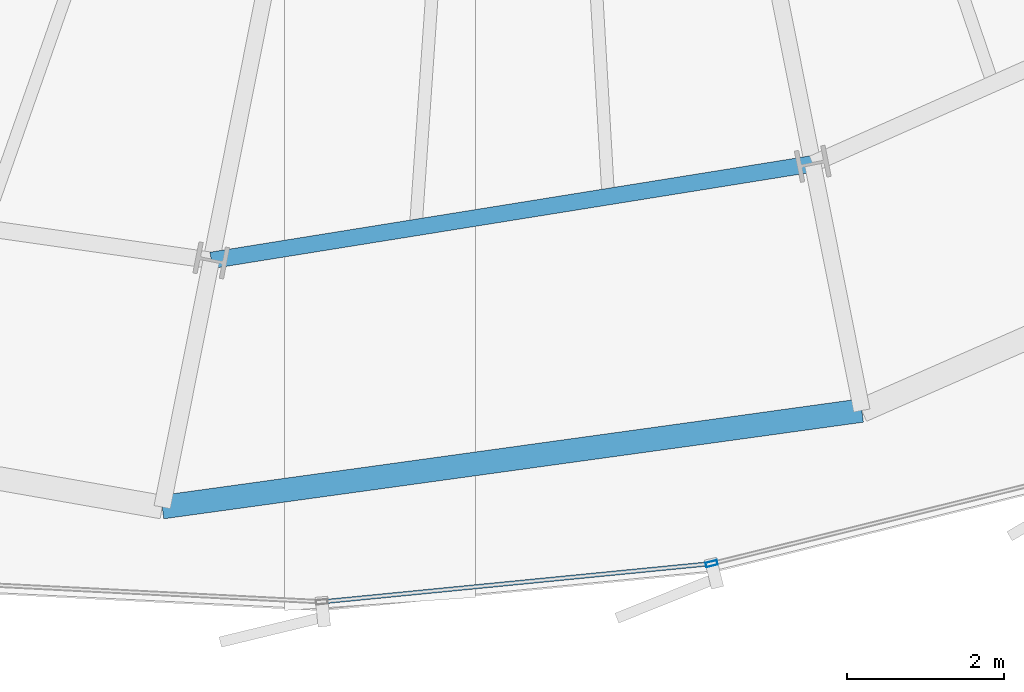
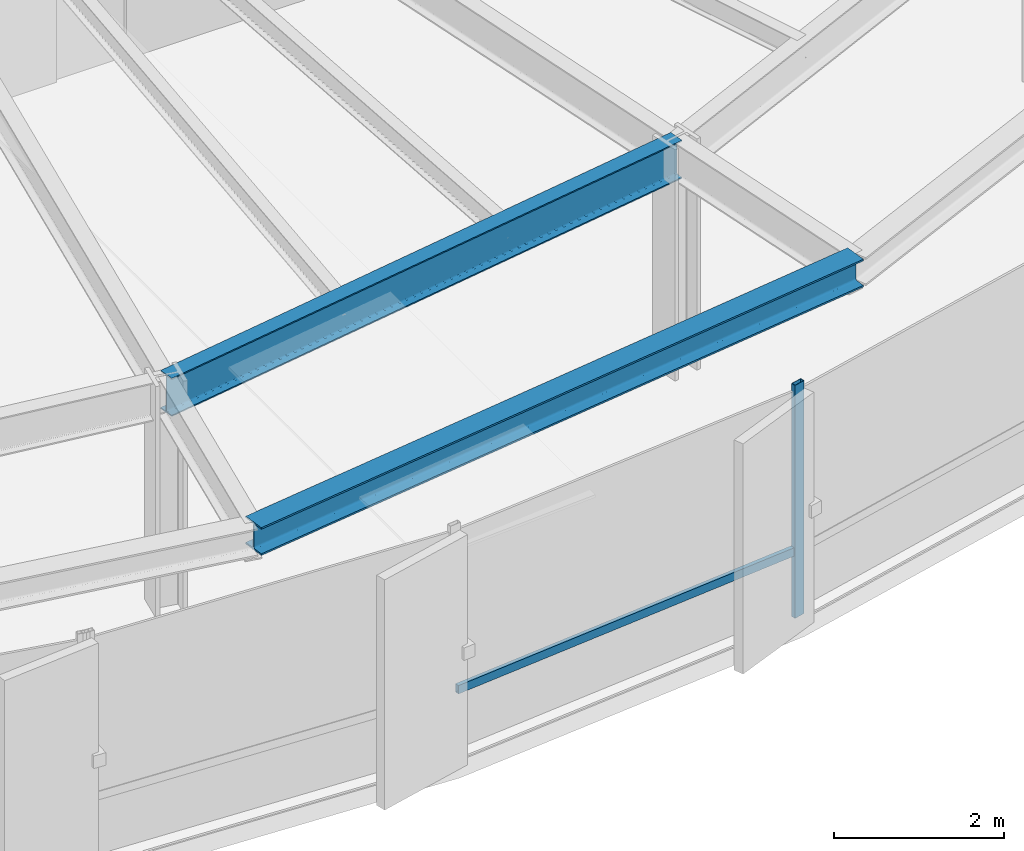
# One storey, part 6 of 35: 2 beams, 2 members, 1 element without a shape of its own.
"""IFC4 building model written with IfcOpenShell, lengths in metres."""

from ifc_helpers import new_model, si_unit, direction, frame, origin, origin_2d, place, context, subcontext, project, spatial, hollow_rectangle, i_section, extrude, source, transform, mapped, material, layer, layer_set, material_profile, profile_set, type_object, element, aggregate, save


model = new_model("IFC4")

# Units and contexts
model_context = context("Model", 3, precision=1e-05, world=origin(), true_north=direction((0.0, 1.0)))
body_context = subcontext(model_context, "Body", "Model", "MODEL_VIEW")
ifc_project = project(units=[si_unit("LENGTHUNIT", "METRE"), si_unit("AREAUNIT", "SQUARE_METRE"), si_unit("VOLUMEUNIT", "CUBIC_METRE"), si_unit("PLANEANGLEUNIT", "RADIAN"), si_unit("MASSUNIT", "GRAM", prefix="KILO"), si_unit("THERMODYNAMICTEMPERATUREUNIT", "KELVIN")], contexts=[model_context])

# Site, building, storey
site_placement = place(None, origin())
site = spatial("IfcSite", under=ifc_project, at=site_placement, CompositionType="ELEMENT")
building_placement = place(site_placement, origin())
building = spatial("IfcBuilding", under=site, at=building_placement, Name="Kethvar Cultural Tower", CompositionType="ELEMENT")
storey_placement = place(building_placement, frame((0.0, 0.0, 107.199951171875)))
storey = spatial("IfcBuildingStorey", under=building, at=storey_placement, Name="L26", CompositionType="ELEMENT", Elevation=107.199951171875)

# Beams
ifc_material_1 = material(Name="Steel S355J2", Category="steel")
ifc_material_profile_1 = material_profile(ifc_material_1, i_section(OverallWidth=0.2099609375, OverallDepth=0.550048828125, WebThickness=0.010986328125, FlangeThickness=0.01708984375, FilletRadius=0.02392578125, at=origin_2d()), Name="Steel S355J2 — IPE550")
ifc_profile_set_1 = profile_set([ifc_material_profile_1], Name="Steel S355J2 — IPE550")
beam_type_1 = type_object("IfcBeamType", Name="BM-IPE550", PredefinedType="BEAM", material=ifc_profile_set_1)
shared_shape_1 = source(origin(), body_context, "Body", "SweptSolid", [
    extrude(i_section(OverallWidth=0.2099609375, OverallDepth=0.550048828125, WebThickness=0.010986328125, FlangeThickness=0.01708984375, FilletRadius=0.02392578125, at=origin_2d()), origin(), (0.0, 0.0, 1.0), 7.749267578125),
])
beam_1_placement = place(storey_placement, frame((42.852294921875, 7.95361328125, 3.072998046875), z_axis=(0.987348257569, 0.158566762831, 0.0), x_axis=(-0.158566762831, 0.987348257569, 0.0)))
element("IfcBeam", 1, at=beam_1_placement, inside=storey, type_object=beam_type_1, Name="L26 Column Ring Tie Beam CR-12", PredefinedType="BEAM", context=body_context, shape_type="MappedRepresentation", body=[
    mapped(shared_shape_1, transform((0.0, 0.0, 0.0), scale=1.0)),
])
ifc_material_profile_2 = material_profile(ifc_material_1, i_section(OverallWidth=0.300048828125, OverallDepth=0.39990234375, WebThickness=0.013427734375, FlangeThickness=0.02392578125, FilletRadius=0.027099609375, at=origin_2d()), Name="Steel S355J2 — HEB400")
ifc_profile_set_2 = profile_set([ifc_material_profile_2], Name="Steel S355J2 — HEB400")
beam_type_2 = type_object("IfcBeamType", Name="BM-SP400", PredefinedType="SPANDREL", material=ifc_profile_set_2)
shared_shape_2 = source(origin(), body_context, "Body", "SweptSolid", [
    extrude(i_section(OverallWidth=0.300048828125, OverallDepth=0.39990234375, WebThickness=0.013427734375, FlangeThickness=0.02392578125, FilletRadius=0.027099609375, at=origin_2d()), origin(), (0.0, 0.0, 1.0), 8.984130859375),
])
beam_2_placement = place(storey_placement, frame((42.22802734375, 4.81494140625, 3.14794921875), z_axis=(0.990602728928, 0.136770733127, 0.0), x_axis=(-0.136770733127, 0.990602728928, 0.0)))
element("IfcBeam", 2, at=beam_2_placement, inside=storey, type_object=beam_type_2, Name="L26 Perimeter Spandrel Beam SP-12", PredefinedType="SPANDREL", context=body_context, shape_type="MappedRepresentation", body=[
    mapped(shared_shape_2, transform((0.0, 0.0, 0.0), scale=1.0)),
])

# Curtain wall, members
ifc_material_2 = material(Name="Aluminium 6063-T6", Category="aluminium")
ifc_layer = layer(ifc_material_2, 0.179931640625, Name="Aluminium 6063-T6", Category="aluminium")
ifc_layer_set = layer_set([ifc_layer], Name="Aluminium 6063-T6 (180 mm)")
curtain_wall_type = type_object("IfcCurtainWallType", Name="CW-SYS-03-Z2", PredefinedType="NOTDEFINED", material=ifc_layer_set)
curtain_wall_placement = place(storey_placement, origin())
curtain_wall = element("IfcCurtainWall", 3, at=curtain_wall_placement, inside=storey, type_object=curtain_wall_type, Name="L26 Curtain Wall Run 05", PredefinedType="NOTDEFINED")
ifc_material_profile_3 = material_profile(ifc_material_2, hollow_rectangle(XDim=0.06005859375, YDim=0.14990234375, WallThickness=0.0048828125, at=origin_2d()), Name="Aluminium 6063-T6 — RHS150x60x5")
ifc_profile_set_3 = profile_set([ifc_material_profile_3], Name="Aluminium 6063-T6 — RHS150x60x5")
member_type_1 = type_object("IfcMemberType", Name="CW-SYS-03-Z2-MUL", PredefinedType="MULLION", material=ifc_profile_set_3)
shared_shape_3 = source(origin(), body_context, "Body", "SweptSolid", [
    extrude(hollow_rectangle(XDim=0.06005859375, YDim=0.14990234375, WallThickness=0.0048828125, at=origin_2d()), origin(), (0.0, 0.0, 1.0), 3.35009765625),
])
member_1_placement = place(storey_placement, frame((49.21728515625, 4.095703125, 0.0), z_axis=(0.0, 0.0, 1.0), x_axis=(-0.240177215552, 0.970729058558, 0.0)))
member_1 = element("IfcMember", 4, at=member_1_placement, type_object=member_type_1, Name="CW-L26-R05 Mullion 3", PredefinedType="MULLION", context=body_context, shape_type="MappedRepresentation", body=[
    mapped(shared_shape_3, transform((0.0, 0.0, 0.0), scale=1.0)),
])
ifc_material_profile_4 = material_profile(ifc_material_2, hollow_rectangle(XDim=0.054931640625, YDim=0.1201171875, WallThickness=0.00390625, at=origin_2d()), Name="Aluminium 6063-T6 — RHS120x55x4")
ifc_profile_set_4 = profile_set([ifc_material_profile_4], Name="Aluminium 6063-T6 — RHS120x55x4")
member_type_2 = type_object("IfcMemberType", Name="CW-SYS-03-Z2-TRN", PredefinedType="USERDEFINED", material=ifc_profile_set_4)
shared_shape_4 = source(origin(), body_context, "Body", "SweptSolid", [
    extrude(hollow_rectangle(XDim=0.054931640625, YDim=0.1201171875, WallThickness=0.00390625, at=origin_2d()), origin(), (0.0, 0.0, 1.0), 4.91162109375),
])
member_2_placement = place(storey_placement, frame((44.302490234375, 3.614013671875, 0.949951171875), z_axis=(0.995208914247, 0.097771248343, 0.0), x_axis=(-0.097771248343, 0.995208914247, 0.0)))
member_2 = element("IfcMember", 5, at=member_2_placement, type_object=member_type_2, Name="CW-L26-R05 Transom 2", ObjectType="TRANSOM", PredefinedType="USERDEFINED", context=body_context, shape_type="MappedRepresentation", body=[
    mapped(shared_shape_4, transform((0.0, 0.0, 0.0), scale=1.0)),
])
aggregate(curtain_wall, [member_1, member_2])

save(model, "model.ifc")
